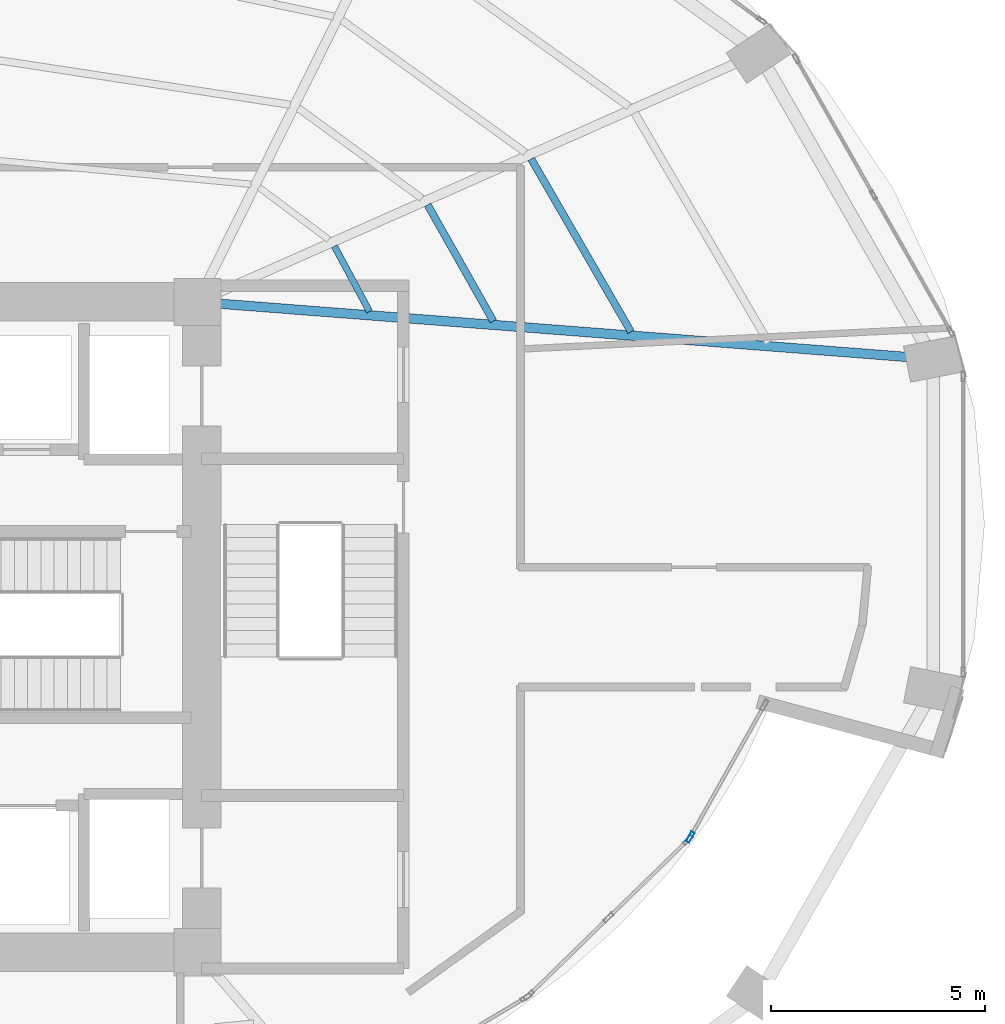
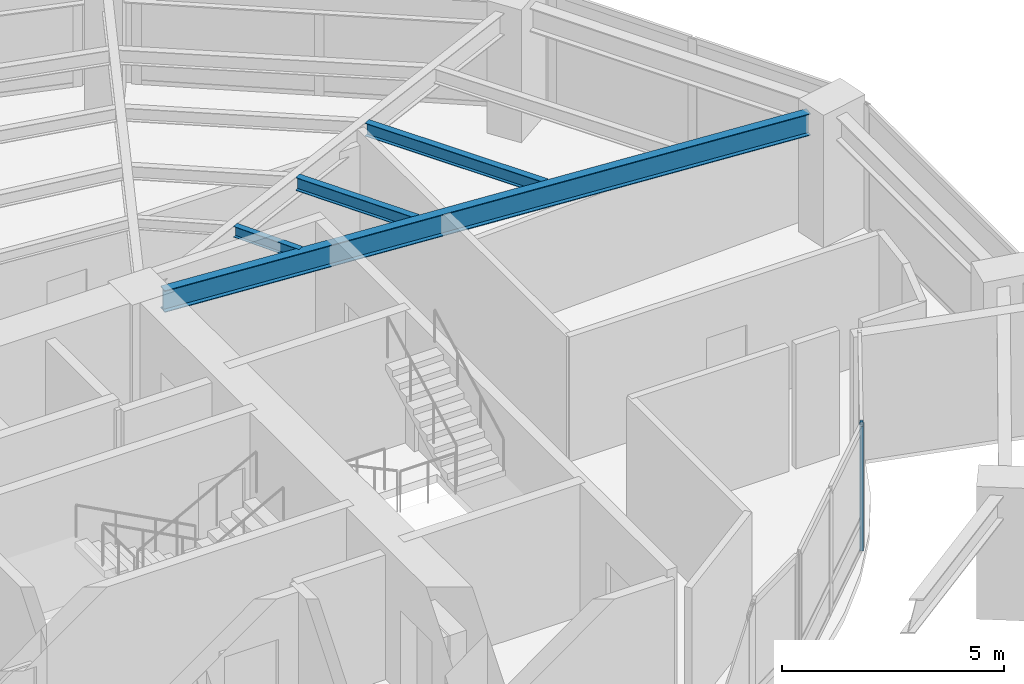
# One storey, part 11 of 24: 4 beams, 1 member, 1 element without a shape of its own.
"""IFC4 building model written with IfcOpenShell, lengths in metres."""

from ifc_helpers import new_model, si_unit, direction, frame, origin, origin_2d, place, context, subcontext, project, spatial, hollow_rectangle, i_section, extrude, material, layer, layer_set, material_profile, profile_set, type_object, element, aggregate, save


model = new_model("IFC4")

# Units and contexts
model_context = context("Model", 3, precision=1e-05, world=origin(), true_north=direction((0.0, 1.0)))
body_context = subcontext(model_context, "Body", "Model", "MODEL_VIEW")
ifc_project = project(units=[si_unit("LENGTHUNIT", "METRE"), si_unit("AREAUNIT", "SQUARE_METRE"), si_unit("VOLUMEUNIT", "CUBIC_METRE"), si_unit("PLANEANGLEUNIT", "RADIAN"), si_unit("MASSUNIT", "GRAM", prefix="KILO")], contexts=[model_context])

# Site, building, storey
site_placement = place(None, origin())
site = spatial("IfcSite", under=ifc_project, at=site_placement, CompositionType="ELEMENT")
building_placement = place(site_placement, origin())
building = spatial("IfcBuilding", under=site, at=building_placement, Name="Lazwardi Medical Tower", CompositionType="ELEMENT")
storey_placement = place(building_placement, frame((0.0, 0.0, 61.679931640625)))
storey = spatial("IfcBuildingStorey", under=building, at=storey_placement, Name="L15", CompositionType="ELEMENT", Elevation=61.679931640625)

# Beams
ifc_material_1 = material(Name="Steel S355", Category="steel")
ifc_material_profile_1 = material_profile(ifc_material_1, i_section(OverallWidth=0.219970703125, OverallDepth=0.60009765625, WebThickness=0.011962890625, FlangeThickness=0.01904296875, at=origin_2d()), Name="IPE 600")
ifc_profile_set_1 = profile_set([ifc_material_profile_1], Name="Steel S355")
beam_type_1 = type_object("IfcBeamType", Name="BM-RG-W1", PredefinedType="BEAM", material=ifc_profile_set_1)
beam_1_placement = place(storey_placement, frame((62.2216796875, 34.3125, 3.128173828125), z_axis=(-0.997013942066, 0.077221754231, 0.0), x_axis=(-0.077221754231, -0.997013942066, 0.0)))
element("IfcBeam", 1, at=beam_1_placement, inside=storey, type_object=beam_type_1, Name="Radial girder RG-02 R05 L15", PredefinedType="BEAM", context=body_context, shape_type="SweptSolid", body=[
    extrude(i_section(OverallWidth=0.219970703125, OverallDepth=0.60009765625, WebThickness=0.011962890625, FlangeThickness=0.01904296875, at=origin_2d()), origin(), (0.0, 0.0, 1.0), 16.136474609375),
])
ifc_material_profile_2 = material_profile(ifc_material_1, i_section(OverallWidth=0.169921875, OverallDepth=0.360107421875, WebThickness=0.008056640625, FlangeThickness=0.0126953125, at=origin_2d()), Name="IPE 360")
ifc_profile_set_2 = profile_set([ifc_material_profile_2], Name="Steel S355")
beam_type_2 = type_object("IfcBeamType", Name="BM-SJ-02", PredefinedType="JOIST", material=ifc_profile_set_2)
beam_2_placement = place(storey_placement, frame((55.73388671875, 34.90185546875, 3.248046875), z_axis=(-0.499785866494, 0.866148998529, 0.0), x_axis=(-0.866148998529, -0.499785866494, 0.0)))
element("IfcBeam", 2, at=beam_2_placement, inside=storey, type_object=beam_type_2, Name="Secondary joist SJ-02 R2 B05 L15", PredefinedType="JOIST", context=body_context, shape_type="SweptSolid", body=[
    extrude(i_section(OverallWidth=0.169921875, OverallDepth=0.360107421875, WebThickness=0.008056640625, FlangeThickness=0.0126953125, at=origin_2d()), origin(), (0.0, 0.0, 1.0), 4.666015625),
])
beam_3_placement = place(storey_placement, frame((52.51708984375, 35.151611328125, 3.248046875), z_axis=(-0.491923287977, 0.870638546554, 0.0), x_axis=(-0.870638546554, -0.491923287977, 0.0)))
element("IfcBeam", 3, at=beam_3_placement, inside=storey, type_object=beam_type_2, Name="Secondary joist SJ-02 R3 B05 L15", PredefinedType="JOIST", context=body_context, shape_type="SweptSolid", body=[
    extrude(i_section(OverallWidth=0.169921875, OverallDepth=0.360107421875, WebThickness=0.008056640625, FlangeThickness=0.0126953125, at=origin_2d()), origin(), (0.0, 0.0, 1.0), 3.122802734375),
])
ifc_material_profile_3 = material_profile(ifc_material_1, i_section(OverallWidth=0.14990234375, OverallDepth=0.300048828125, WebThickness=0.007080078125, FlangeThickness=0.0107421875, at=origin_2d()), Name="IPE 300")
ifc_profile_set_3 = profile_set([ifc_material_profile_3], Name="Steel S355")
beam_type_3 = type_object("IfcBeamType", Name="BM-SJ-03", PredefinedType="JOIST", material=ifc_profile_set_3)
beam_4_placement = place(storey_placement, frame((49.623046875, 35.376953125, 3.278076171875), z_axis=(-0.473982292828, 0.880534375301, 0.0), x_axis=(-0.880534375301, -0.473982292828, 0.0)))
element("IfcBeam", 4, at=beam_4_placement, inside=storey, type_object=beam_type_3, Name="Secondary joist SJ-03 R4 B05 L15", PredefinedType="JOIST", context=body_context, shape_type="SweptSolid", body=[
    extrude(i_section(OverallWidth=0.14990234375, OverallDepth=0.300048828125, WebThickness=0.007080078125, FlangeThickness=0.0107421875, at=origin_2d()), origin(), (0.0, 0.0, 1.0), 1.734375),
])

# Curtain wall, member
ifc_material_2 = material(Name="Anodised bronze aluminium and solar control glazing", Category="aluminium")
ifc_layer = layer(ifc_material_2, 0.239990234375)
ifc_layer_set = layer_set([ifc_layer], Name="Anodised bronze aluminium and solar control glazing")
curtain_wall_type = type_object("IfcCurtainWallType", Name="CW-SYS-05", PredefinedType="NOTDEFINED", material=ifc_layer_set)
curtain_wall_placement = place(storey_placement, origin())
curtain_wall = element("IfcCurtainWall", 5, at=curtain_wall_placement, inside=storey, type_object=curtain_wall_type, Name="L15 Unitised bronze curtain wall CW-05", PredefinedType="NOTDEFINED")
ifc_material_3 = material(Name="Anodised bronze aluminium", Category="aluminium")
ifc_material_profile_4 = material_profile(ifc_material_3, hollow_rectangle(XDim=0.0849609375, YDim=0.260009765625, WallThickness=0.0048828125, at=origin_2d()), Name="ALU-MULLION 260x85x5")
ifc_profile_set_4 = profile_set([ifc_material_profile_4], Name="Anodised bronze aluminium")
member_type = type_object("IfcMemberType", Name="CW-MUL-02", PredefinedType="MULLION", material=ifc_profile_set_4)
member_placement = place(storey_placement, frame((57.119873046875, 23.091552734375, 0.0), z_axis=(0.0, 0.0, 1.0), x_axis=(-0.871837157649, 0.489795845779, 0.0)))
member = element("IfcMember", 6, at=member_placement, type_object=member_type, Name="CW-05 mullion 1", PredefinedType="MULLION", context=body_context, shape_type="SweptSolid", body=[
    extrude(hollow_rectangle(XDim=0.0849609375, YDim=0.260009765625, WallThickness=0.0048828125, at=origin_2d()), origin(), (0.0, 0.0, 1.0), 3.427978515625),
])
aggregate(curtain_wall, [member])

save(model, "model.ifc")
